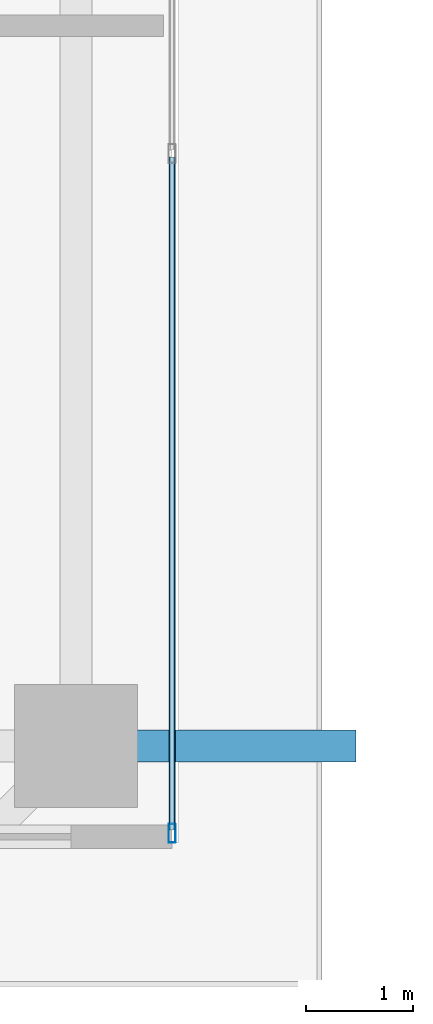
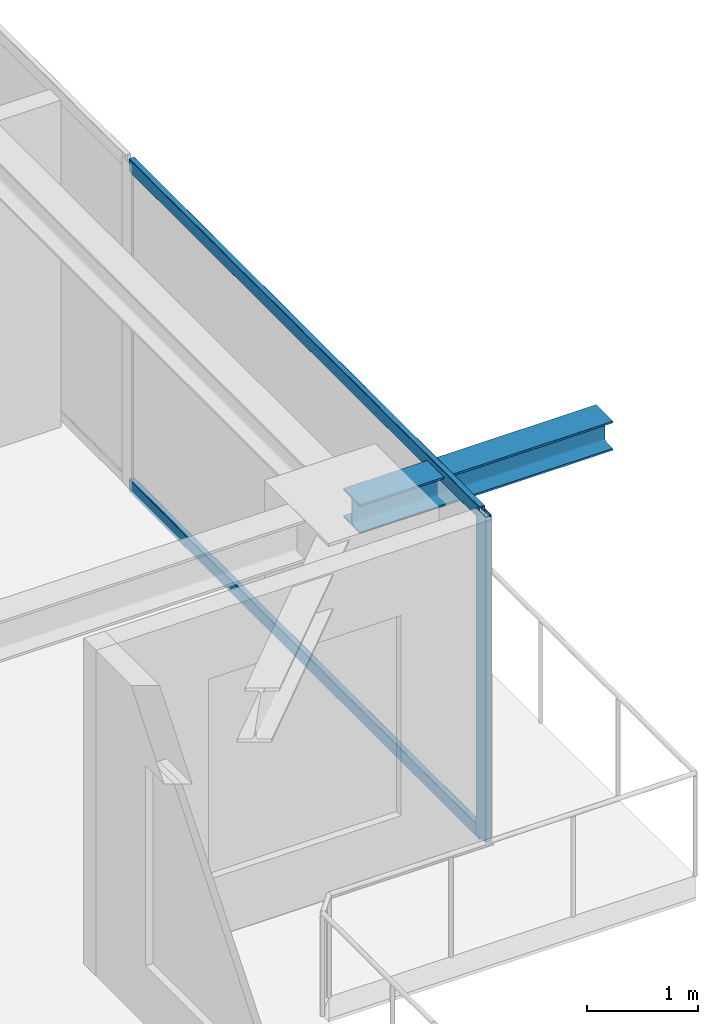
# One storey, part 14 of 36: 3 members, 1 beam, 1 element without a shape of its own.
"""IFC4 building model written with IfcOpenShell, lengths in metres."""

from ifc_helpers import new_model, si_unit, direction, frame, origin, origin_2d, place, context, subcontext, project, spatial, hollow_rectangle, i_section, extrude, source, transform, mapped, material, layer, layer_set, material_profile, profile_set, type_object, element, aggregate, save


model = new_model("IFC4")

# Units and contexts
model_context = context("Model", 3, precision=1e-05, world=origin(), true_north=direction((0.0, 1.0)))
body_context = subcontext(model_context, "Body", "Model", "MODEL_VIEW")
ifc_project = project(units=[si_unit("LENGTHUNIT", "METRE"), si_unit("AREAUNIT", "SQUARE_METRE"), si_unit("VOLUMEUNIT", "CUBIC_METRE"), si_unit("PLANEANGLEUNIT", "RADIAN"), si_unit("MASSUNIT", "GRAM", prefix="KILO")], contexts=[model_context])

# Site, building, storey
site_placement = place(None, origin())
site = spatial("IfcSite", under=ifc_project, at=site_placement, CompositionType="ELEMENT")
building_placement = place(site_placement, origin())
building = spatial("IfcBuilding", under=site, at=building_placement, Name="Serunith Strait Residences", CompositionType="ELEMENT")
storey_placement = place(building_placement, frame((0.0, 0.0, 256.64990234375)))
storey = spatial("IfcBuildingStorey", under=building, at=storey_placement, Name="L64", CompositionType="ELEMENT", Elevation=256.64990234375)

# Beam
ifc_material_1 = material(Name="Steel S355J2", Category="steel")
ifc_material_profile_1 = material_profile(ifc_material_1, i_section(OverallWidth=0.300048828125, OverallDepth=0.320068359375, WebThickness=0.011474609375, FlangeThickness=0.0205078125, FilletRadius=0.027099609375, at=origin_2d()), Name="HEB 320")
ifc_profile_set_1 = profile_set([ifc_material_profile_1], Name="Steel S355J2")
beam_type = type_object("IfcBeamType", Name="BM-HEB320", PredefinedType="BEAM", material=ifc_profile_set_1)
shared_shape_1 = source(origin(), body_context, "Body", "SweptSolid", [
    extrude(i_section(OverallWidth=0.300048828125, OverallDepth=0.320068359375, WebThickness=0.011474609375, FlangeThickness=0.0205078125, FilletRadius=0.027099609375, at=origin_2d()), origin(), (0.0, 0.0, 1.0), 2.62451171875),
])
beam_placement = place(storey_placement, frame((56.5, 10.050048828125, 3.397216796875), z_axis=(1.0, 0.0, 0.0), x_axis=(0.0, 1.0, 0.0)))
element("IfcBeam", 1, at=beam_placement, inside=storey, type_object=beam_type, Name="L65 Cantilevered Balcony Rib TC-E1", PredefinedType="BEAM", context=body_context, shape_type="MappedRepresentation", body=[
    mapped(shared_shape_1, transform((0.0, 0.0, 0.0), scale=1.0)),
])

# Curtain wall, members
ifc_material_2 = material(Name="Pale-Champagne Anodised Aluminium", Category="aluminium")
ifc_layer = layer(ifc_material_2, 0.199951171875, Name="Pale-Champagne Anodised Aluminium")
ifc_layer_set = layer_set([ifc_layer], Name="Pale-Champagne Anodised Aluminium")
curtain_wall_type = type_object("IfcCurtainWallType", Name="CW-SYS4", PredefinedType="NOTDEFINED", material=ifc_layer_set)
curtain_wall_placement = place(storey_placement, origin())
curtain_wall = element("IfcCurtainWall", 2, at=curtain_wall_placement, inside=storey, type_object=curtain_wall_type, Name="L64 E Unitised Fritted Curtain Wall", PredefinedType="NOTDEFINED")
ifc_material_profile_2 = material_profile(ifc_material_2, hollow_rectangle(XDim=0.06005859375, YDim=0.139892578125, WallThickness=0.00341796875, InnerFilletRadius=0.00537109375, OuterFilletRadius=0.0087890625, at=origin_2d()), Name="ALU 140x60x3.5")
ifc_profile_set_2 = profile_set([ifc_material_profile_2], Name="Pale-Champagne Anodised Aluminium")
member_type_1 = type_object("IfcMemberType", Name="CW-SYS4-TRAN", PredefinedType="USERDEFINED", material=ifc_profile_set_2)
shared_shape_2 = source(origin(), body_context, "Body", "SweptSolid", [
    extrude(hollow_rectangle(XDim=0.06005859375, YDim=0.139892578125, WallThickness=0.00341796875, InnerFilletRadius=0.00537109375, OuterFilletRadius=0.0087890625, at=origin_2d()), origin(), (0.0, 0.0, 1.0), 6.302490234375),
])
member_1_placement = place(storey_placement, frame((57.39990234375, 9.264892578125, 0.030029296875), z_axis=(0.0, 1.0, 0.0), x_axis=(-1.0, 0.0, 0.0)))
member_1 = element("IfcMember", 3, at=member_1_placement, type_object=member_type_1, Name="CW-4 transom 1.1", ObjectType="TRANSOM", PredefinedType="USERDEFINED", context=body_context, shape_type="MappedRepresentation", body=[
    mapped(shared_shape_2, transform((0.0, 0.0, 0.0), scale=1.0)),
])
member_2_placement = place(storey_placement, frame((57.39990234375, 9.264892578125, 3.545166015625), z_axis=(0.0, 1.0, 0.0), x_axis=(-1.0, 0.0, 0.0)))
member_2 = element("IfcMember", 4, at=member_2_placement, type_object=member_type_1, Name="CW-4 transom 1.2", ObjectType="TRANSOM", PredefinedType="USERDEFINED", context=body_context, shape_type="MappedRepresentation", body=[
    mapped(shared_shape_2, transform((0.0, 0.0, 0.0), scale=1.0)),
])
ifc_material_profile_3 = material_profile(ifc_material_2, hollow_rectangle(XDim=0.06494140625, YDim=0.179931640625, WallThickness=0.00341796875, InnerFilletRadius=0.00537109375, OuterFilletRadius=0.0087890625, at=origin_2d()), Name="ALU 180x65x3.5")
ifc_profile_set_3 = profile_set([ifc_material_profile_3], Name="Pale-Champagne Anodised Aluminium")
member_type_2 = type_object("IfcMemberType", Name="CW-SYS4-MULL", PredefinedType="MULLION", material=ifc_profile_set_3)
shared_shape_3 = source(origin(), body_context, "Body", "SweptSolid", [
    extrude(hollow_rectangle(XDim=0.06494140625, YDim=0.179931640625, WallThickness=0.00341796875, InnerFilletRadius=0.00537109375, OuterFilletRadius=0.0087890625, at=origin_2d()), origin(), (0.0, 0.0, 1.0), 3.5751953125),
])
member_3_placement = place(storey_placement, frame((57.39990234375, 9.232421875, 0.0), z_axis=(0.0, 0.0, 1.0), x_axis=(-1.0, 0.0, 0.0)))
member_3 = element("IfcMember", 5, at=member_3_placement, type_object=member_type_2, Name="CW-4 mullion 1", PredefinedType="MULLION", context=body_context, shape_type="MappedRepresentation", body=[
    mapped(shared_shape_3, transform((0.0, 0.0, 0.0), scale=1.0)),
])
aggregate(curtain_wall, [member_3, member_1, member_2])

save(model, "model.ifc")
